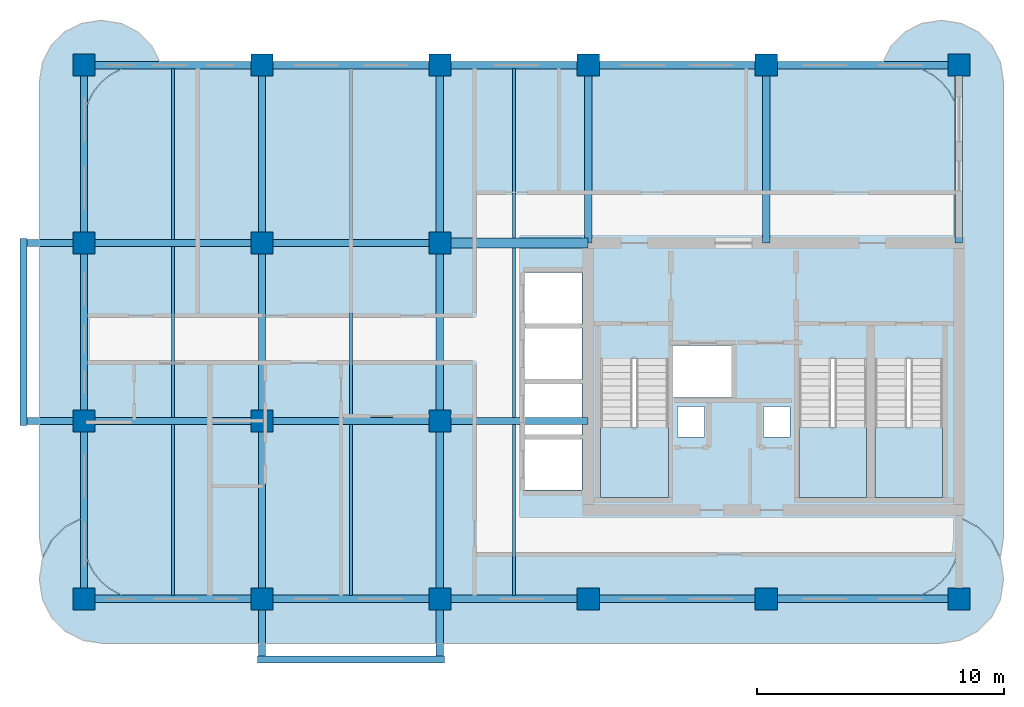
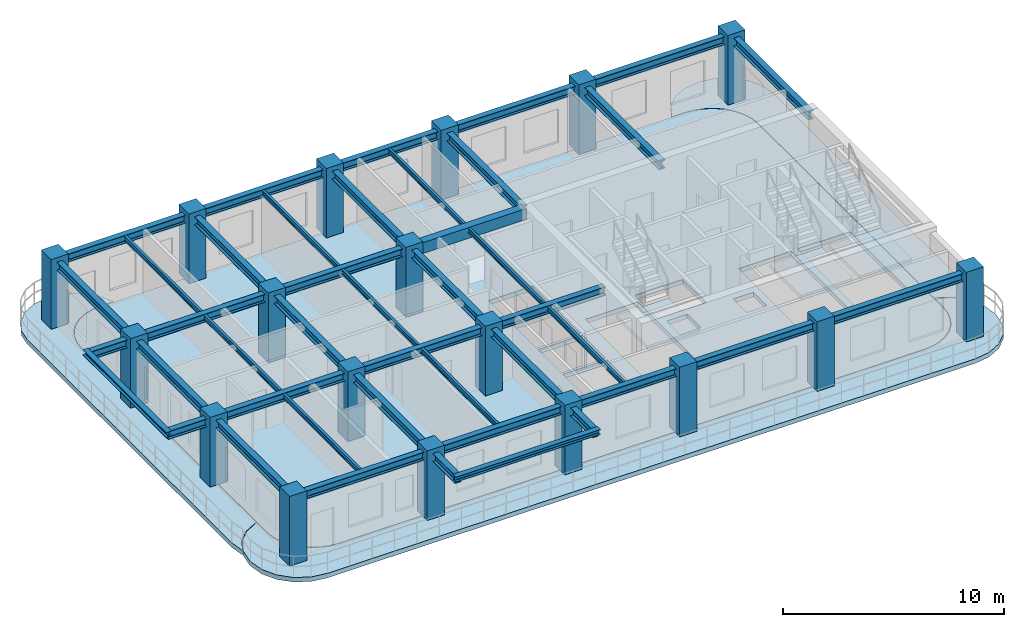
# One storey, part 1 of 7: 39 beams, 18 columns, 7 slabs, 3 elements without a shape of their own.
"""IFC4 building model written with IfcOpenShell, lengths in metres."""

from ifc_helpers import new_model, si_unit, derived_unit, direction, frame, origin, origin_2d, place, context, subcontext, project, spatial, polyline, rectangle, i_section, outline, extrude, source, transform, mapped, material, layer, layer_set, material_profile, profile_set, type_object, type_shapes, element, aggregate, save


model = new_model("IFC4")

# Units and contexts
model_context = context("Model", 3, precision=1e-05, world=origin(), true_north=direction((0.0, 1.0)))
body_context = subcontext(model_context, "Body", "Model", "MODEL_VIEW")
ifc_project = project(units=[si_unit("LENGTHUNIT", "METRE"), si_unit("AREAUNIT", "SQUARE_METRE"), si_unit("VOLUMEUNIT", "CUBIC_METRE"), si_unit("PLANEANGLEUNIT", "RADIAN"), si_unit("MASSUNIT", "GRAM", prefix="KILO"), si_unit("THERMODYNAMICTEMPERATUREUNIT", "KELVIN"), si_unit("POWERUNIT", "WATT"), derived_unit("THERMALTRANSMITTANCEUNIT", [(si_unit("POWERUNIT", "WATT"), 1), (si_unit("AREAUNIT", "SQUARE_METRE"), -1), (si_unit("THERMODYNAMICTEMPERATUREUNIT", "KELVIN"), -1)])], contexts=[model_context])

# Site, building, storey
site_placement = place(None, origin())
site = spatial("IfcSite", under=ifc_project, at=site_placement, CompositionType="ELEMENT")
building_placement = place(site_placement, origin())
building = spatial("IfcBuilding", under=site, at=building_placement, Name="Zahravan Archway Hotel and Residences", CompositionType="ELEMENT")
storey_placement = place(building_placement, frame((0.0, 0.0, 244.25)))
storey = spatial("IfcBuildingStorey", under=building, at=storey_placement, Name="L61", CompositionType="ELEMENT", Elevation=244.25)

# Columns
ifc_material_1 = material(Name="Concrete C60/75", Category="concrete")
ifc_material_profile_1 = material_profile(ifc_material_1, rectangle(XDim=0.89990234375, YDim=0.89990234375, at=origin_2d()), Name="RC-COL-900x900", Category="concrete")
ifc_profile_set_1 = profile_set([ifc_material_profile_1], Name="Concrete C60/75")
column_type = type_object("IfcColumnType", Name="COL-RC-900", PredefinedType="COLUMN", material=ifc_profile_set_1)
shared_shape_1 = source(origin(), body_context, "Body", "SweptSolid", [
    extrude(rectangle(XDim=0.89990234375, YDim=0.89990234375, at=origin_2d()), origin(), (0.0, 0.0, 1.0), 3.85009765625),
])
type_shapes(column_type, [shared_shape_1])
for number, where, z_axis, x_axis, name in (
    (1, (14.39990234375, 0.0, 0.0), (0.0, 0.0, 1.0), (1.0, 0.0, 0.0), "L61 Column 3-A"),
    (2, (14.39990234375, 7.199951171875, 0.0), (0.0, 0.0, 1.0), (1.0, 0.0, 0.0), "L61 Column 3-B"),
    (3, (14.39990234375, 14.39990234375, 0.0), (0.0, 0.0, 1.0), (1.0, 0.0, 0.0), "L61 Column 3-C"),
    (4, (14.39990234375, 21.60009765625, 0.0), (0.0, 0.0, 1.0), (1.0, 0.0, 0.0), "L61 Column 3-D"),
    (5, (21.60009765625, 0.0, 0.0), (0.0, 0.0, 1.0), (1.0, 0.0, 0.0), "L61 Column 4-A"),
    (6, (21.60009765625, 7.199951171875, 0.0), (0.0, 0.0, 1.0), (1.0, 0.0, 0.0), "L61 Column 4-B"),
    (7, (21.60009765625, 14.39990234375, 0.0), (0.0, 0.0, 1.0), (1.0, 0.0, 0.0), "L61 Column 4-C"),
    (8, (21.60009765625, 21.60009765625, 0.0), (0.0, 0.0, 1.0), (1.0, 0.0, 0.0), "L61 Column 4-D"),
    (9, (28.800048828125, 0.0, 0.0), (0.0, 0.0, 1.0), (1.0, 0.0, 0.0), "L61 Column 5-A"),
    (10, (28.800048828125, 7.199951171875, 0.0), (0.0, 0.0, 1.0), (1.0, 0.0, 0.0), "L61 Column 5-B"),
    (11, (28.800048828125, 14.39990234375, 0.0), (0.0, 0.0, 1.0), (1.0, 0.0, 0.0), "L61 Column 5-C"),
    (12, (28.800048828125, 21.60009765625, 0.0), (0.0, 0.0, 1.0), (1.0, 0.0, 0.0), "L61 Column 5-D"),
    (13, (34.800048828125, 0.0, 0.0), (0.0, 0.0, 1.0), (1.0, 0.0, 0.0), "L61 Column 6-A"),
    (14, (34.800048828125, 21.60009765625, 0.0), (0.0, 0.0, 1.0), (1.0, 0.0, 0.0), "L61 Column 6-D"),
    (15, (42.0, 0.0, 0.0), (0.0, 0.0, 1.0), (1.0, 0.0, 0.0), "L61 Column 7-A"),
    (16, (42.0, 21.60009765625, 0.0), (0.0, 0.0, 1.0), (1.0, 0.0, 0.0), "L61 Column 7-D"),
    (17, (49.800048828125, 0.0, 0.0), (0.0, 0.0, 1.0), (1.0, 0.0, 0.0), "L61 Column 8-A"),
    (18, (49.800048828125, 21.60009765625, 0.0), (0.0, 0.0, 1.0), (1.0, 0.0, 0.0), "L61 Column 8-D"),
):
    element("IfcColumn", number, at=place(storey_placement, frame(where, z_axis=z_axis, x_axis=x_axis)), inside=storey, type_object=column_type, Name=name, PredefinedType="COLUMN", context=body_context, shape_type="MappedRepresentation", body=[
        mapped(shared_shape_1, transform((0.0, 0.0, 0.0), scale=1.0)),
    ])

# Beams
ifc_material_2 = material(Name="Structural Steel S355JR", Category="steel")
ifc_material_profile_2 = material_profile(ifc_material_2, i_section(OverallWidth=0.280029296875, OverallDepth=0.280029296875, WebThickness=0.010498046875, FlangeThickness=0.01806640625, FilletRadius=0.02392578125, at=origin_2d()), Name="HEB 280", Category="steel")
ifc_profile_set_2 = profile_set([ifc_material_profile_2], Name="Structural Steel S355JR")
beam_type_1 = type_object("IfcBeamType", Name="BM-SPN-HEB280", PredefinedType="SPANDREL", material=ifc_profile_set_2)
shared_shape_2 = source(origin(), body_context, "Body", "SweptSolid", [
    extrude(i_section(OverallWidth=0.280029296875, OverallDepth=0.280029296875, WebThickness=0.010498046875, FlangeThickness=0.01806640625, FilletRadius=0.02392578125, at=origin_2d()), origin(), (0.0, 0.0, 1.0), 7.56005859375),
])
type_shapes(beam_type_1, [shared_shape_2])
for number, where, z_axis, x_axis, name in (
    (19, (11.949951171875, 7.02001953125, 3.4599609375), (0.0, 1.0, 0.0), (-1.0, 0.0, 0.0), "L62 WA Balcony Edge Spandrel"),
    (20, (21.419921875, -2.449951171875, 3.4599609375), (1.0, 0.0, 0.0), (0.0, 1.0, 0.0), "L62 SA Balcony Edge Spandrel"),
):
    element("IfcBeam", number, at=place(storey_placement, frame(where, z_axis=z_axis, x_axis=x_axis)), inside=storey, type_object=beam_type_1, Name=name, PredefinedType="SPANDREL", context=body_context, shape_type="MappedRepresentation", body=[
        mapped(shared_shape_2, transform((0.0, 0.0, 0.0), scale=1.0)),
    ])
ifc_material_profile_3 = material_profile(ifc_material_1, rectangle(XDim=0.39990234375, YDim=0.60009765625, at=origin_2d()), Name="RC-LNT-400x600", Category="concrete")
ifc_profile_set_3 = profile_set([ifc_material_profile_3], Name="Concrete C60/75")
beam_type_2 = type_object("IfcBeamType", Name="LNT-RC-400x600", PredefinedType="LINTEL", material=ifc_profile_set_3)
shared_shape_3 = source(origin(), body_context, "Body", "SweptSolid", [
    extrude(rectangle(XDim=0.39990234375, YDim=0.60009765625, at=origin_2d()), origin(), (0.0, 0.0, 1.0), 6.0),
])
type_shapes(beam_type_2, [shared_shape_3])
beam_placement = place(storey_placement, frame((28.800048828125, 14.39990234375, 3.300048828125), z_axis=(1.0, 0.0, 0.0), x_axis=(0.0, 1.0, 0.0)))
element("IfcBeam", 21, at=beam_placement, inside=storey, type_object=beam_type_2, Name="L61 Core A Coupling Lintel Beam", PredefinedType="LINTEL", context=body_context, shape_type="MappedRepresentation", body=[
    mapped(shared_shape_3, transform((0.0, 0.0, 0.0), scale=1.0)),
])
ifc_material_profile_4 = material_profile(ifc_material_2, i_section(OverallWidth=0.300048828125, OverallDepth=0.449951171875, WebThickness=0.013916015625, FlangeThickness=0.02587890625, FilletRadius=0.027099609375, at=origin_2d()), Name="HEB 450", Category="steel")
ifc_profile_set_4 = profile_set([ifc_material_profile_4], Name="Structural Steel S355JR")
beam_type_3 = type_object("IfcBeamType", Name="BM-PRI-HEB450", PredefinedType="BEAM", material=ifc_profile_set_4)
shared_shape_4 = source(origin(), body_context, "Body", "SweptSolid", [
    extrude(i_section(OverallWidth=0.300048828125, OverallDepth=0.449951171875, WebThickness=0.013916015625, FlangeThickness=0.02587890625, FilletRadius=0.027099609375, at=origin_2d()), origin(), (0.0, 0.0, 1.0), 7.2001953125),
])
type_shapes(beam_type_3, [shared_shape_4])
for number, where, z_axis, x_axis, name in (
    (22, (14.39990234375, 0.0, 3.375), (1.0, 0.0, 0.0), (0.0, 1.0, 0.0), "L61 Primary Girder EW-01"),
    (23, (14.39990234375, 21.60009765625, 3.375), (1.0, 0.0, 0.0), (0.0, 1.0, 0.0), "L61 Primary Girder EW-11"),
    (24, (14.39990234375, 14.39990234375, 3.375), (0.0, 1.0, 0.0), (-1.0, 0.0, 0.0), "L61 Primary Girder NS-18"),
    (25, (21.60009765625, 14.39990234375, 3.375), (0.0, 1.0, 0.0), (-1.0, 0.0, 0.0), "L61 Primary Girder NS-21"),
    (26, (28.800048828125, 14.39990234375, 3.375), (0.0, 1.0, 0.0), (-1.0, 0.0, 0.0), "L61 Primary Girder NS-24"),
    (27, (34.800048828125, 14.39990234375, 3.375), (0.0, 1.0, 0.0), (-1.0, 0.0, 0.0), "L61 Primary Girder NS-25"),
    (28, (42.0, 14.39990234375, 3.375), (0.0, 1.0, 0.0), (-1.0, 0.0, 0.0), "L61 Primary Girder NS-26"),
    (29, (49.800048828125, 14.39990234375, 3.375), (0.0, 1.0, 0.0), (-1.0, 0.0, 0.0), "L61 Primary Girder NS-27"),
):
    element("IfcBeam", number, at=place(storey_placement, frame(where, z_axis=z_axis, x_axis=x_axis)), inside=storey, type_object=beam_type_3, Name=name, PredefinedType="BEAM", context=body_context, shape_type="MappedRepresentation", body=[
        mapped(shared_shape_4, transform((0.0, 0.0, 0.0), scale=1.0)),
    ])
shared_shape_5 = source(origin(), body_context, "Body", "SweptSolid", [
    extrude(i_section(OverallWidth=0.300048828125, OverallDepth=0.449951171875, WebThickness=0.013916015625, FlangeThickness=0.02587890625, FilletRadius=0.027099609375, at=origin_2d()), origin(), (0.0, 0.0, 1.0), 7.199951171875),
])
for number, where, z_axis, x_axis, name in (
    (30, (21.60009765625, 0.0, 3.375), (1.0, 0.0, 0.0), (0.0, 1.0, 0.0), "L61 Primary Girder EW-02"),
    (31, (34.800048828125, 0.0, 3.375), (1.0, 0.0, 0.0), (0.0, 1.0, 0.0), "L61 Primary Girder EW-04"),
    (32, (21.60009765625, 7.199951171875, 3.375), (1.0, 0.0, 0.0), (0.0, 1.0, 0.0), "L61 Primary Girder EW-07"),
    (33, (21.60009765625, 14.39990234375, 3.375), (1.0, 0.0, 0.0), (0.0, 1.0, 0.0), "L61 Primary Girder EW-10"),
    (34, (21.60009765625, 21.60009765625, 3.375), (1.0, 0.0, 0.0), (0.0, 1.0, 0.0), "L61 Primary Girder EW-12"),
    (35, (34.800048828125, 21.60009765625, 3.375), (1.0, 0.0, 0.0), (0.0, 1.0, 0.0), "L61 Primary Girder EW-14"),
    (36, (14.39990234375, 0.0, 3.375), (0.0, 1.0, 0.0), (-1.0, 0.0, 0.0), "L61 Primary Girder NS-16"),
    (37, (14.39990234375, 7.199951171875, 3.375), (0.0, 1.0, 0.0), (-1.0, 0.0, 0.0), "L61 Primary Girder NS-17"),
    (38, (21.60009765625, 7.199951171875, 3.375), (0.0, 1.0, 0.0), (-1.0, 0.0, 0.0), "L61 Primary Girder NS-20"),
    (39, (28.800048828125, 7.199951171875, 3.375), (0.0, 1.0, 0.0), (-1.0, 0.0, 0.0), "L61 Primary Girder NS-23"),
):
    element("IfcBeam", number, at=place(storey_placement, frame(where, z_axis=z_axis, x_axis=x_axis)), inside=storey, type_object=beam_type_3, Name=name, PredefinedType="BEAM", context=body_context, shape_type="MappedRepresentation", body=[
        mapped(shared_shape_5, transform((0.0, 0.0, 0.0), scale=1.0)),
    ])
shared_shape_6 = source(origin(), body_context, "Body", "SweptSolid", [
    extrude(i_section(OverallWidth=0.300048828125, OverallDepth=0.449951171875, WebThickness=0.013916015625, FlangeThickness=0.02587890625, FilletRadius=0.027099609375, at=origin_2d()), origin(), (0.0, 0.0, 1.0), 6.0),
])
for number, where, z_axis, x_axis, name in (
    (40, (28.800048828125, 0.0, 3.375), (1.0, 0.0, 0.0), (0.0, 1.0, 0.0), "L61 Primary Girder EW-03"),
    (41, (28.800048828125, 7.199951171875, 3.375), (1.0, 0.0, 0.0), (0.0, 1.0, 0.0), "L61 Primary Girder EW-08"),
    (42, (28.800048828125, 21.60009765625, 3.375), (1.0, 0.0, 0.0), (0.0, 1.0, 0.0), "L61 Primary Girder EW-13"),
):
    element("IfcBeam", number, at=place(storey_placement, frame(where, z_axis=z_axis, x_axis=x_axis)), inside=storey, type_object=beam_type_3, Name=name, PredefinedType="BEAM", context=body_context, shape_type="MappedRepresentation", body=[
        mapped(shared_shape_6, transform((0.0, 0.0, 0.0), scale=1.0)),
    ])
shared_shape_7 = source(origin(), body_context, "Body", "SweptSolid", [
    extrude(i_section(OverallWidth=0.300048828125, OverallDepth=0.449951171875, WebThickness=0.013916015625, FlangeThickness=0.02587890625, FilletRadius=0.027099609375, at=origin_2d()), origin(), (0.0, 0.0, 1.0), 7.800048828125),
])
for number, where, z_axis, x_axis, name in (
    (43, (42.0, 0.0, 3.375), (1.0, 0.0, 0.0), (0.0, 1.0, 0.0), "L61 Primary Girder EW-05"),
    (44, (42.0, 21.60009765625, 3.375), (1.0, 0.0, 0.0), (0.0, 1.0, 0.0), "L61 Primary Girder EW-15"),
):
    element("IfcBeam", number, at=place(storey_placement, frame(where, z_axis=z_axis, x_axis=x_axis)), inside=storey, type_object=beam_type_3, Name=name, PredefinedType="BEAM", context=body_context, shape_type="MappedRepresentation", body=[
        mapped(shared_shape_7, transform((0.0, 0.0, 0.0), scale=1.0)),
    ])
shared_shape_8 = source(origin(), body_context, "Body", "SweptSolid", [
    extrude(i_section(OverallWidth=0.300048828125, OverallDepth=0.449951171875, WebThickness=0.013916015625, FlangeThickness=0.02587890625, FilletRadius=0.027099609375, at=origin_2d()), origin(), (0.0, 0.0, 1.0), 9.650146484375),
])
for number, where, z_axis, x_axis, name in (
    (45, (11.949951171875, 7.199951171875, 3.375), (1.0, 0.0, 0.0), (0.0, 1.0, 0.0), "L61 Primary Girder EW-06"),
    (46, (11.949951171875, 14.39990234375, 3.375), (1.0, 0.0, 0.0), (0.0, 1.0, 0.0), "L61 Primary Girder EW-09"),
):
    element("IfcBeam", number, at=place(storey_placement, frame(where, z_axis=z_axis, x_axis=x_axis)), inside=storey, type_object=beam_type_3, Name=name, PredefinedType="BEAM", context=body_context, shape_type="MappedRepresentation", body=[
        mapped(shared_shape_8, transform((0.0, 0.0, 0.0), scale=1.0)),
    ])
shared_shape_9 = source(origin(), body_context, "Body", "SweptSolid", [
    extrude(i_section(OverallWidth=0.300048828125, OverallDepth=0.449951171875, WebThickness=0.013916015625, FlangeThickness=0.02587890625, FilletRadius=0.027099609375, at=origin_2d()), origin(), (0.0, 0.0, 1.0), 9.64990234375),
])
for number, where, z_axis, x_axis, name in (
    (47, (21.60009765625, -2.449951171875, 3.375), (0.0, 1.0, 0.0), (-1.0, 0.0, 0.0), "L61 Primary Girder NS-19"),
    (48, (28.800048828125, -2.449951171875, 3.375), (0.0, 1.0, 0.0), (-1.0, 0.0, 0.0), "L61 Primary Girder NS-22"),
):
    element("IfcBeam", number, at=place(storey_placement, frame(where, z_axis=z_axis, x_axis=x_axis)), inside=storey, type_object=beam_type_3, Name=name, PredefinedType="BEAM", context=body_context, shape_type="MappedRepresentation", body=[
        mapped(shared_shape_9, transform((0.0, 0.0, 0.0), scale=1.0)),
    ])
ifc_material_profile_5 = material_profile(ifc_material_2, i_section(OverallWidth=0.135009765625, OverallDepth=0.27001953125, WebThickness=0.006591796875, FlangeThickness=0.01025390625, FilletRadius=0.014892578125, at=origin_2d()), Name="IPE 270", Category="steel")
ifc_profile_set_5 = profile_set([ifc_material_profile_5], Name="Structural Steel S355JR")
beam_type_4 = type_object("IfcBeamType", Name="BM-JST-IPE270", PredefinedType="JOIST", material=ifc_profile_set_5)
shared_shape_10 = source(origin(), body_context, "Body", "SweptSolid", [
    extrude(i_section(OverallWidth=0.135009765625, OverallDepth=0.27001953125, WebThickness=0.006591796875, FlangeThickness=0.01025390625, FilletRadius=0.014892578125, at=origin_2d()), origin(), (0.0, 0.0, 1.0), 6.904052734375),
])
type_shapes(beam_type_4, [shared_shape_10])
for number, where, z_axis, x_axis, name in (
    (49, (18.0, 0.14794921875, 3.465087890625), (0.0, 1.0, 0.0), (-1.0, 0.0, 0.0), "L61 Composite Floor Joist 01"),
    (50, (25.199951171875, 0.14794921875, 3.465087890625), (0.0, 1.0, 0.0), (-1.0, 0.0, 0.0), "L61 Composite Floor Joist 02"),
    (51, (31.800048828125, 0.14794921875, 3.465087890625), (0.0, 1.0, 0.0), (-1.0, 0.0, 0.0), "L61 Composite Floor Joist 03"),
    (52, (18.0, 7.347900390625, 3.465087890625), (0.0, 1.0, 0.0), (-1.0, 0.0, 0.0), "L61 Composite Floor Joist 04"),
    (53, (25.199951171875, 7.347900390625, 3.465087890625), (0.0, 1.0, 0.0), (-1.0, 0.0, 0.0), "L61 Composite Floor Joist 05"),
):
    element("IfcBeam", number, at=place(storey_placement, frame(where, z_axis=z_axis, x_axis=x_axis)), inside=storey, type_object=beam_type_4, Name=name, PredefinedType="JOIST", context=body_context, shape_type="MappedRepresentation", body=[
        mapped(shared_shape_10, transform((0.0, 0.0, 0.0), scale=1.0)),
    ])
shared_shape_11 = source(origin(), body_context, "Body", "SweptSolid", [
    extrude(i_section(OverallWidth=0.135009765625, OverallDepth=0.27001953125, WebThickness=0.006591796875, FlangeThickness=0.01025390625, FilletRadius=0.014892578125, at=origin_2d()), origin(), (0.0, 0.0, 1.0), 6.85400390625),
])
for number, where, z_axis, x_axis, name in (
    (54, (31.800048828125, 7.347900390625, 3.465087890625), (0.0, 1.0, 0.0), (-1.0, 0.0, 0.0), "L61 Composite Floor Joist 06"),
    (55, (31.800048828125, 14.597900390625, 3.465087890625), (0.0, 1.0, 0.0), (-1.0, 0.0, 0.0), "L61 Composite Floor Joist 07"),
):
    element("IfcBeam", number, at=place(storey_placement, frame(where, z_axis=z_axis, x_axis=x_axis)), inside=storey, type_object=beam_type_4, Name=name, PredefinedType="JOIST", context=body_context, shape_type="MappedRepresentation", body=[
        mapped(shared_shape_11, transform((0.0, 0.0, 0.0), scale=1.0)),
    ])
shared_shape_12 = source(origin(), body_context, "Body", "SweptSolid", [
    extrude(i_section(OverallWidth=0.135009765625, OverallDepth=0.27001953125, WebThickness=0.006591796875, FlangeThickness=0.01025390625, FilletRadius=0.014892578125, at=origin_2d()), origin(), (0.0, 0.0, 1.0), 6.90380859375),
])
for number, where, z_axis, x_axis, name in (
    (56, (18.0, 14.548095703125, 3.465087890625), (0.0, 1.0, 0.0), (-1.0, 0.0, 0.0), "L61 Composite Floor Joist 08"),
    (57, (25.199951171875, 14.548095703125, 3.465087890625), (0.0, 1.0, 0.0), (-1.0, 0.0, 0.0), "L61 Composite Floor Joist 09"),
):
    element("IfcBeam", number, at=place(storey_placement, frame(where, z_axis=z_axis, x_axis=x_axis)), inside=storey, type_object=beam_type_4, Name=name, PredefinedType="JOIST", context=body_context, shape_type="MappedRepresentation", body=[
        mapped(shared_shape_12, transform((0.0, 0.0, 0.0), scale=1.0)),
    ])

# Slabs
ifc_material_3 = material(Name="Concrete C45/55", Category="concrete")
ifc_layer_1 = layer(ifc_material_3, 0.25, Name="Concrete C45/55", Category="concrete")
ifc_layer_set_1 = layer_set([ifc_layer_1], Name="Concrete C45/55")
slab_type_1 = type_object("IfcSlabType", Name="SLB-BALC-250", PredefinedType="FLOOR", material=ifc_layer_set_1)
slab_1_placement = place(storey_placement, frame((0.0, 0.0, -0.25)))
element("IfcSlab", 58, at=slab_1_placement, inside=storey, type_object=slab_type_1, Name="L61 Wing A South Rounded Balcony Band", PredefinedType="FLOOR", context=body_context, shape_type="SweptSolid", body=[
    extrude(outline(polyline([(49.837890625, 3.275146484375), (50.548828125, 2.9130859375), (51.113037109375, 2.348876953125), (51.47509765625, 1.637939453125), (51.60009765625, 0.85009765625), (51.60009765625, 0.75), (51.47509765625, -0.0380859375), (51.113037109375, -0.748779296875), (50.548828125, -1.31298828125), (49.837890625, -1.67529296875), (49.050048828125, -1.800048828125), (15.14990234375, -1.800048828125), (14.362060546875, -1.67529296875), (13.651123046875, -1.31298828125), (13.0869140625, -0.748779296875), (12.724853515625, -0.0380859375), (12.60009765625, 0.75), (12.60009765625, 0.85009765625), (12.724853515625, 1.637939453125), (13.0869140625, 2.348876953125), (13.651123046875, 2.9130859375), (14.362060546875, 3.275146484375), (14.3798828125, 3.278076171875), (14.3798828125, 2.39990234375), (14.380126953125, 2.39794921875), (14.42626953125, 1.9296875), (14.426513671875, 1.927978515625), (14.427001953125, 1.926025390625), (14.563720703125, 1.475830078125), (14.564208984375, 1.473876953125), (14.565185546875, 1.47216796875), (14.786865234375, 1.05712890625), (14.787841796875, 1.055419921875), (14.7890625, 1.053955078125), (15.08740234375, 0.690185546875), (15.0888671875, 0.688720703125), (15.090087890625, 0.6875), (15.453857421875, 0.388916015625), (15.45556640625, 0.387939453125), (15.457275390625, 0.386962890625), (15.872314453125, 0.1650390625), (15.873779296875, 0.164306640625), (15.875732421875, 0.16357421875), (16.325927734375, 0.027099609375), (16.327880859375, 0.026611328125), (16.329833984375, 0.026123046875), (16.798095703125, -0.02001953125), (16.800048828125, -0.02001953125), (47.39990234375, -0.02001953125), (47.402099609375, -0.02001953125), (47.8701171875, 0.026123046875), (47.8720703125, 0.026611328125), (47.8740234375, 0.027099609375), (48.32421875, 0.16357421875), (48.326171875, 0.164306640625), (48.327880859375, 0.1650390625), (48.742919921875, 0.386962890625), (48.744384765625, 0.387939453125), (48.74609375, 0.388916015625), (49.10986328125, 0.6875), (49.111083984375, 0.688720703125), (49.112548828125, 0.690185546875), (49.410888671875, 1.053955078125), (49.412109375, 1.055419921875), (49.4130859375, 1.05712890625), (49.635009765625, 1.47216796875), (49.6357421875, 1.473876953125), (49.636474609375, 1.475830078125), (49.77294921875, 1.926025390625), (49.7734375, 1.927978515625), (49.773681640625, 1.9296875), (49.81982421875, 2.39794921875), (49.820068359375, 2.39990234375), (49.820068359375, 3.278076171875), (49.837890625, 3.275146484375)])), origin(), (0.0, 0.0, 1.0), 0.25),
])
slab_2_placement = place(storey_placement, frame((0.0, 0.0, -0.25)))
element("IfcSlab", 59, at=slab_2_placement, inside=storey, type_object=slab_type_1, Name="L61 Wing A East Rounded Balcony Band", PredefinedType="FLOOR", context=body_context, shape_type="SweptSolid", body=[
    extrude(outline(polyline([(46.719970703125, 21.70703125), (47.06787109375, 22.39013671875), (47.60986328125, 22.93212890625), (48.29296875, 23.280029296875), (49.050048828125, 23.39990234375), (49.14990234375, 23.39990234375), (49.906982421875, 23.280029296875), (50.590087890625, 22.93212890625), (51.132080078125, 22.39013671875), (51.47998046875, 21.70703125), (51.60009765625, 20.949951171875), (51.60009765625, 2.449951171875), (51.47998046875, 1.69287109375), (51.474853515625, 1.6826171875), (51.130859375, 2.35791015625), (51.1298828125, 2.35986328125), (51.12841796875, 2.361572265625), (51.127197265625, 2.363037109375), (50.56298828125, 2.927001953125), (50.5615234375, 2.928466796875), (50.559814453125, 2.9296875), (50.55810546875, 2.930908203125), (49.84716796875, 3.29296875), (49.84521484375, 3.2939453125), (49.84326171875, 3.29443359375), (49.841064453125, 3.294921875), (49.822998046875, 3.2978515625), (49.8212890625, 3.298095703125), (49.820068359375, 3.298095703125), (49.820068359375, 19.199951171875), (49.81982421875, 19.201904296875), (49.773681640625, 19.670166015625), (49.7734375, 19.672119140625), (49.77294921875, 19.674072265625), (49.636474609375, 20.124267578125), (49.6357421875, 20.126220703125), (49.635009765625, 20.127685546875), (49.4130859375, 20.542724609375), (49.412109375, 20.54443359375), (49.410888671875, 20.546142578125), (49.112548828125, 20.909912109375), (49.111083984375, 20.9111328125), (49.10986328125, 20.91259765625), (48.74609375, 21.2109375), (48.744384765625, 21.212158203125), (48.742919921875, 21.213134765625), (48.327880859375, 21.434814453125), (48.326171875, 21.435791015625), (48.32421875, 21.436279296875), (47.8740234375, 21.572998046875), (47.8720703125, 21.573486328125), (47.8701171875, 21.57373046875), (47.402099609375, 21.619873046875), (47.39990234375, 21.6201171875), (46.7060546875, 21.6201171875), (46.719970703125, 21.70703125)])), origin(), (0.0, 0.0, 1.0), 0.25),
])
slab_3_placement = place(storey_placement, frame((0.0, 0.0, -0.25)))
element("IfcSlab", 60, at=slab_3_placement, inside=storey, type_object=slab_type_1, Name="L61 Wing A West Rounded Balcony Band", PredefinedType="FLOOR", context=body_context, shape_type="SweptSolid", body=[
    extrude(outline(polyline([(12.719970703125, 1.69287109375), (12.60009765625, 2.449951171875), (12.60009765625, 20.949951171875), (12.719970703125, 21.70703125), (13.06787109375, 22.39013671875), (13.60986328125, 22.93212890625), (14.29296875, 23.280029296875), (15.050048828125, 23.39990234375), (15.14990234375, 23.39990234375), (15.906982421875, 23.280029296875), (16.590087890625, 22.93212890625), (17.132080078125, 22.39013671875), (17.47998046875, 21.70703125), (17.493896484375, 21.6201171875), (16.800048828125, 21.6201171875), (16.798095703125, 21.619873046875), (16.329833984375, 21.57373046875), (16.327880859375, 21.573486328125), (16.325927734375, 21.572998046875), (15.875732421875, 21.436279296875), (15.873779296875, 21.435791015625), (15.872314453125, 21.434814453125), (15.457275390625, 21.213134765625), (15.45556640625, 21.212158203125), (15.453857421875, 21.2109375), (15.090087890625, 20.91259765625), (15.0888671875, 20.9111328125), (15.08740234375, 20.909912109375), (14.7890625, 20.546142578125), (14.787841796875, 20.54443359375), (14.786865234375, 20.542724609375), (14.565185546875, 20.127685546875), (14.564208984375, 20.126220703125), (14.563720703125, 20.124267578125), (14.427001953125, 19.674072265625), (14.426513671875, 19.672119140625), (14.42626953125, 19.670166015625), (14.380126953125, 19.201904296875), (14.3798828125, 19.199951171875), (14.3798828125, 3.298095703125), (14.37890625, 3.298095703125), (14.376953125, 3.2978515625), (14.35888671875, 3.294921875), (14.356689453125, 3.29443359375), (14.354736328125, 3.2939453125), (14.352783203125, 3.29296875), (13.64208984375, 2.930908203125), (13.64013671875, 2.9296875), (13.638427734375, 2.928466796875), (13.636962890625, 2.927001953125), (13.072998046875, 2.363037109375), (13.071533203125, 2.361572265625), (13.0703125, 2.35986328125), (13.069091796875, 2.35791015625), (12.72509765625, 1.6826171875), (12.719970703125, 1.69287109375)])), origin(), (0.0, 0.0, 1.0), 0.25),
])
ifc_layer_2 = layer(ifc_material_3, 0.25, Name="Concrete C45/55", Category="concrete")
ifc_layer_set_2 = layer_set([ifc_layer_2], Name="Concrete C45/55")
slab_type_2 = type_object("IfcSlabType", Name="SLB-FLR-250", PredefinedType="FLOOR", material=ifc_layer_set_2)
slab_4_placement = place(storey_placement, frame((0.0, 0.0, -0.25)))
element("IfcSlab", 61, at=slab_4_placement, inside=storey, type_object=slab_type_2, Name="L61 Floor Slab WA", PredefinedType="FLOOR", context=body_context, shape_type="SweptSolid", body=[
    extrude(outline(polyline([(47.39990234375, 0.0), (47.8681640625, 0.046142578125), (48.318359375, 0.1826171875), (48.7333984375, 0.404541015625), (49.09716796875, 0.702880859375), (49.3955078125, 1.066650390625), (49.6171875, 1.481689453125), (49.75390625, 1.931884765625), (49.800048828125, 2.39990234375), (49.800048828125, 19.199951171875), (49.75390625, 19.668212890625), (49.6171875, 20.118408203125), (49.3955078125, 20.533447265625), (49.09716796875, 20.897216796875), (48.7333984375, 21.195556640625), (48.318359375, 21.417236328125), (47.8681640625, 21.553955078125), (47.39990234375, 21.60009765625), (16.800048828125, 21.60009765625), (16.331787109375, 21.553955078125), (15.881591796875, 21.417236328125), (15.466552734375, 21.195556640625), (15.102783203125, 20.897216796875), (14.804443359375, 20.533447265625), (14.582763671875, 20.118408203125), (14.446044921875, 19.668212890625), (14.39990234375, 19.199951171875), (14.39990234375, 2.39990234375), (14.446044921875, 1.931884765625), (14.582763671875, 1.481689453125), (14.804443359375, 1.066650390625), (15.102783203125, 0.702880859375), (15.466552734375, 0.404541015625), (15.881591796875, 0.1826171875), (16.331787109375, 0.046142578125), (16.800048828125, 0.0), (47.39990234375, 0.0)]), holes=[polyline([(35.300048828125, 9.72998046875), (35.300048828125, 4.10009765625), (38.0400390625, 4.10009765625), (38.0400390625, 9.72998046875), (35.300048828125, 9.72998046875)]), polyline([(43.320068359375, 9.72998046875), (43.320068359375, 4.10009765625), (46.06005859375, 4.10009765625), (46.06005859375, 9.72998046875), (43.320068359375, 9.72998046875)]), polyline([(46.39990234375, 9.72998046875), (46.39990234375, 4.10009765625), (49.139892578125, 4.10009765625), (49.139892578125, 9.72998046875), (46.39990234375, 9.72998046875)]), polyline([(38.179931640625, 8.14990234375), (40.699951171875, 8.14990234375), (40.699951171875, 10.25), (38.179931640625, 10.25), (38.179931640625, 8.14990234375)]), polyline([(32.25, 4.39990234375), (34.550048828125, 4.39990234375), (34.550048828125, 6.47998046875), (32.25, 6.47998046875), (32.25, 4.39990234375)]), polyline([(32.25, 6.639892578125), (34.550048828125, 6.639892578125), (34.550048828125, 8.719970703125), (32.25, 8.719970703125), (32.25, 6.639892578125)]), polyline([(32.25, 8.8798828125), (34.550048828125, 8.8798828125), (34.550048828125, 10.9599609375), (32.25, 10.9599609375), (32.25, 8.8798828125)]), polyline([(32.25, 11.1201171875), (34.550048828125, 11.1201171875), (34.550048828125, 13.199951171875), (32.25, 13.199951171875), (32.25, 11.1201171875)]), polyline([(38.419921875, 6.56005859375), (39.5, 6.56005859375), (39.5, 7.780029296875), (38.419921875, 7.780029296875), (38.419921875, 6.56005859375)]), polyline([(41.89990234375, 6.56005859375), (42.9599609375, 6.56005859375), (42.9599609375, 7.780029296875), (41.89990234375, 7.780029296875), (41.89990234375, 6.56005859375)])]), origin(), (0.0, 0.0, 1.0), 0.25),
])

# Stair, slab
ifc_material_4 = material(Name="Concrete C50/60", Category="concrete")
stair_type = type_object("IfcStairType", Name="STR-CORE-1300", PredefinedType="HALF_TURN_STAIR", material=ifc_material_4)
stair_1_placement = place(storey_placement, origin())
stair_1 = element("IfcStair", 62, at=stair_1_placement, inside=storey, type_object=stair_type, Name="L61 Core A Exit Stair 1", PredefinedType="HALF_TURN_STAIR")
ifc_layer_3 = layer(ifc_material_4, 0.199951171875, Name="Concrete C50/60", Category="concrete")
ifc_layer_set_3 = layer_set([ifc_layer_3], Name="Concrete C50/60")
slab_type_3 = type_object("IfcSlabType", Name="SLB-LND-200", PredefinedType="LANDING", material=ifc_layer_set_3)
slab_5_placement = place(storey_placement, frame((0.0, 0.0, 1.72509765625)))
slab_5 = element("IfcSlab", 63, at=slab_5_placement, type_object=slab_type_3, Name="ST-A1 landing 1", PredefinedType="LANDING", context=body_context, shape_type="SweptSolid", body=[
    extrude(outline(polyline([(35.300048828125, 6.929931640625), (35.300048828125, 4.10009765625), (38.0400390625, 4.10009765625), (38.0400390625, 6.929931640625), (35.300048828125, 6.929931640625)])), origin(), (0.0, 0.0, 1.0), 0.199951171875),
])
aggregate(stair_1, [slab_5])

stair_2_placement = place(storey_placement, origin())
stair_2 = element("IfcStair", 64, at=stair_2_placement, inside=storey, type_object=stair_type, Name="L61 Core A Exit Stair 2", PredefinedType="HALF_TURN_STAIR")
slab_6_placement = place(storey_placement, frame((0.0, 0.0, 1.72509765625)))
slab_6 = element("IfcSlab", 65, at=slab_6_placement, type_object=slab_type_3, Name="ST-A2 landing 1", PredefinedType="LANDING", context=body_context, shape_type="SweptSolid", body=[
    extrude(outline(polyline([(43.320068359375, 6.929931640625), (43.320068359375, 4.10009765625), (46.06005859375, 4.10009765625), (46.06005859375, 6.929931640625), (43.320068359375, 6.929931640625)])), origin(), (0.0, 0.0, 1.0), 0.199951171875),
])
aggregate(stair_2, [slab_6])

stair_3_placement = place(storey_placement, origin())
stair_3 = element("IfcStair", 66, at=stair_3_placement, inside=storey, type_object=stair_type, Name="L61 Core A Exit Stair 3", PredefinedType="HALF_TURN_STAIR")
slab_7_placement = place(storey_placement, frame((0.0, 0.0, 1.72509765625)))
slab_7 = element("IfcSlab", 67, at=slab_7_placement, type_object=slab_type_3, Name="ST-A3 landing 1", PredefinedType="LANDING", context=body_context, shape_type="SweptSolid", body=[
    extrude(outline(polyline([(46.39990234375, 6.929931640625), (46.39990234375, 4.10009765625), (49.139892578125, 4.10009765625), (49.139892578125, 6.929931640625), (46.39990234375, 6.929931640625)])), origin(), (0.0, 0.0, 1.0), 0.199951171875),
])
aggregate(stair_3, [slab_7])

save(model, "model.ifc")
